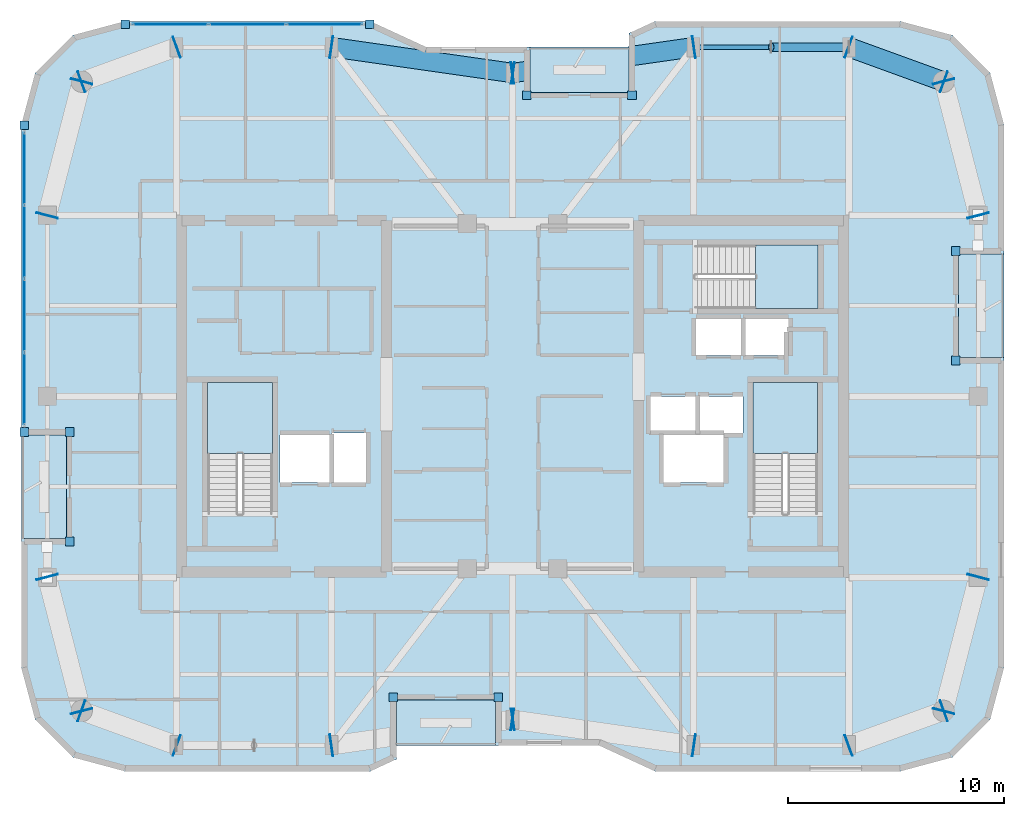
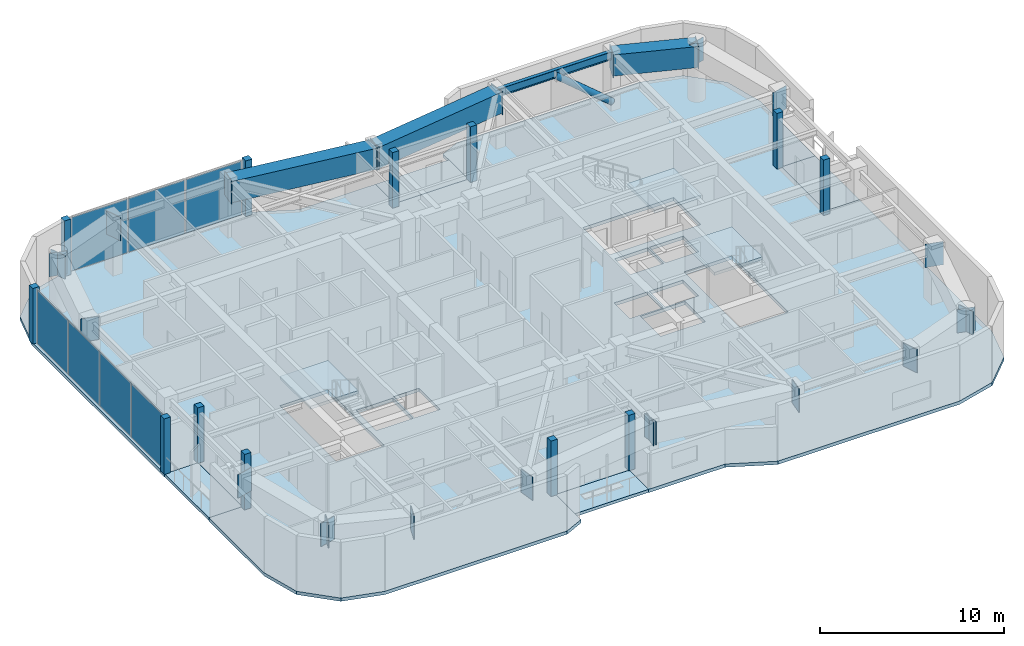
# One storey, part 7 of 16: 43 plates, 8 slabs, 4 beams, 1 member, 5 elements without a shape of their own.
"""IFC4 building model written with IfcOpenShell, lengths in metres."""

from ifc_helpers import new_model, si_unit, direction, frame, origin, origin_2d, place, context, subcontext, project, spatial, polyline, rectangle, hollow_rectangle, hollow_circle, i_section, outline, extrude, material, layer, layer_set, material_profile, profile_set, type_object, element, aggregate, save


model = new_model("IFC4")

# Units and contexts
model_context = context("Model", 3, precision=1e-05, world=origin(), true_north=direction((0.0, 1.0)))
body_context = subcontext(model_context, "Body", "Model", "MODEL_VIEW")
ifc_project = project(units=[si_unit("LENGTHUNIT", "METRE"), si_unit("AREAUNIT", "SQUARE_METRE"), si_unit("VOLUMEUNIT", "CUBIC_METRE"), si_unit("PLANEANGLEUNIT", "RADIAN"), si_unit("MASSUNIT", "GRAM", prefix="KILO")], contexts=[model_context])

# Site, building, storey
site_placement = place(None, origin())
site = spatial("IfcSite", under=ifc_project, at=site_placement, CompositionType="ELEMENT")
building_placement = place(site_placement, origin())
building = spatial("IfcBuilding", under=site, at=building_placement, Name="Kiyonajd Concourse Tower", CompositionType="ELEMENT")
storey_placement = place(building_placement, frame((0.0, 0.0, 302.39990234375)))
storey = spatial("IfcBuildingStorey", under=building, at=storey_placement, Name="L76", CompositionType="ELEMENT", Elevation=302.39990234375)

# Beams
ifc_material_1 = material(Name="Steel ASTM A992 Grade 50", Category="steel")
ifc_material_profile_1 = material_profile(ifc_material_1, i_section(OverallWidth=0.2109375, OverallDepth=0.5390625, WebThickness=0.01171875, FlangeThickness=0.018798828125, at=origin_2d()), Name="W530X109")
ifc_profile_set_1 = profile_set([ifc_material_profile_1], Name="Steel ASTM A992 Grade 50")
beam_type_1 = type_object("IfcBeamType", Name="BM-SPAN-530B", PredefinedType="SPANDREL", material=ifc_profile_set_1)
beam_1_placement = place(storey_placement, frame((63.60009765625, 52.199951171875, 3.41064453125), z_axis=(-1.0, 0.0, 0.0), x_axis=(0.0, -1.0, 0.0)))
element("IfcBeam", 1, at=beam_1_placement, inside=storey, type_object=beam_type_1, Name="L76 Perimeter Bundled Tube Spandrel", PredefinedType="SPANDREL", context=body_context, shape_type="SweptSolid", body=[
    extrude(i_section(OverallWidth=0.2109375, OverallDepth=0.5390625, WebThickness=0.01171875, FlangeThickness=0.018798828125, at=origin_2d()), origin(), (0.0, 0.0, 1.0), 7.2001953125),
])
ifc_material_2 = material(Name="Steel ASTM A572 Grade 50", Category="steel")
ifc_material_profile_2 = material_profile(ifc_material_2, hollow_rectangle(XDim=0.89990234375, YDim=1.39990234375, WallThickness=0.070068359375, at=origin_2d()), Name="BOX-1400x900x70")
ifc_profile_set_2 = profile_set([ifc_material_profile_2], Name="Steel ASTM A572 Grade 50")
beam_type_2 = type_object("IfcBeamType", Name="BM-XFER-1400", PredefinedType="BEAM", material=ifc_profile_set_2)
beam_2_placement = place(storey_placement, frame((68.0, 50.60009765625, 2.97998046875), z_axis=(-0.939801036019, 0.341722127901, 0.0), x_axis=(-0.341722127901, -0.939801036019, 0.0)))
element("IfcBeam", 2, at=beam_2_placement, inside=storey, type_object=beam_type_2, Name="L76 Perimeter Bundled Tube Spandrel", PredefinedType="BEAM", context=body_context, shape_type="SweptSolid", body=[
    extrude(hollow_rectangle(XDim=0.89990234375, YDim=1.39990234375, WallThickness=0.070068359375, at=origin_2d()), origin(), (0.0, 0.0, 1.0), 4.681640625),
])
for number, where, z_axis, x_axis, name in (
    (3, (56.39990234375, 52.199951171875, 2.97998046875), (-0.989950069105, -0.141417328072, 0.0), (0.141417328072, -0.989950069105, 0.0), "L76 Perimeter Bundled Tube Spandrel"),
    (4, (48.0, 51.0, 2.97998046875), (-0.989950069105, 0.141417328072, 0.0), (-0.141417328072, -0.989950069105, 0.0), "L76 Perimeter Bundled Tube Spandrel"),
):
    element("IfcBeam", number, at=place(storey_placement, frame(where, z_axis=z_axis, x_axis=x_axis)), inside=storey, type_object=beam_type_2, Name=name, PredefinedType="BEAM", context=body_context, shape_type="SweptSolid", body=[
        extrude(hollow_rectangle(XDim=0.89990234375, YDim=1.39990234375, WallThickness=0.070068359375, at=origin_2d()), origin(), (0.0, 0.0, 1.0), 8.485107421875),
    ])

# Member
ifc_material_3 = material(Name="Steel ASTM A500 Grade C", Category="steel")
ifc_material_profile_3 = material_profile(ifc_material_3, hollow_circle(Radius=0.202880859375, WallThickness=0.01904296875, at=origin_2d()), Name="CHS-406x19")
ifc_profile_set_3 = profile_set([ifc_material_profile_3], Name="Steel ASTM A500 Grade C")
member_type = type_object("IfcMemberType", Name="MB-PB-HIGH", PredefinedType="BRACE", material=ifc_profile_set_3)
member_placement = place(storey_placement, frame((63.60009765625, 52.199951171875, 0.300048828125), z_axis=(-0.765082043761, 0.0, 0.643932811957), x_axis=(0.0, -1.0, 0.0)))
element("IfcMember", 5, at=member_placement, inside=storey, type_object=member_type, Name="L76 Upper Zone Hollow Tube Brace PBN", PredefinedType="BRACE", context=body_context, shape_type="SweptSolid", body=[
    extrude(hollow_circle(Radius=0.202880859375, WallThickness=0.01904296875, at=origin_2d()), origin(), (0.0, 0.0, 1.0), 4.70556640625),
])

# Plates
ifc_layer_1 = layer(ifc_material_2, 0.031982421875)
ifc_layer_set_1 = layer_set([ifc_layer_1], Name="Steel ASTM A572 Grade 50")
plate_type_1 = type_object("IfcPlateType", Name="PL-CAP-540", PredefinedType="USERDEFINED", material=ifc_layer_set_1)
for number, where, z_axis, x_axis, name in (
    (6, (26.397216796875, 27.610595703125, 2.2099609375), (0.0, 0.0, 1.0), (-0.249873048837, 0.968278606324, 0.0), "L76 Welded Box Girder End Cap"),
    (7, (28.002685546875, 21.389404296875, 2.2099609375), (0.0, 0.0, 1.0), (0.249873048837, -0.968278606324, 0.0), "L76 Welded Box Girder End Cap"),
    (8, (27.98974609375, 21.40380859375, 2.2099609375), (0.0, 0.0, 1.0), (-0.939811951086, 0.341692107891, 0.0), "L76 Welded Box Girder End Cap"),
    (9, (32.410400390625, 19.796142578125, 2.2099609375), (0.0, 0.0, 1.0), (0.939811951086, -0.341692107891, 0.0), "L76 Welded Box Girder End Cap"),
    (10, (39.589111328125, 19.79833984375, 2.2099609375), (0.0, 0.0, 1.0), (-0.989949746297, -0.141419587774, 0.0), "L76 Welded Box Girder End Cap"),
    (11, (48.010986328125, 21.001708984375, 2.2099609375), (0.0, 0.0, 1.0), (0.989949746297, 0.141419587774, 0.0), "L76 Welded Box Girder End Cap"),
    (12, (47.989013671875, 21.001708984375, 2.2099609375), (0.0, 0.0, 1.0), (-0.989949746297, 0.141419587774, 0.0), "L76 Welded Box Girder End Cap"),
    (13, (56.410888671875, 19.79833984375, 2.2099609375), (0.0, 0.0, 1.0), (0.989949746297, -0.141419587774, 0.0), "L76 Welded Box Girder End Cap"),
    (14, (63.589599609375, 19.796142578125, 2.2099609375), (0.0, 0.0, 1.0), (-0.939811951086, -0.341692107891, 0.0), "L76 Welded Box Girder End Cap"),
    (15, (68.01025390625, 21.40380859375, 2.2099609375), (0.0, 0.0, 1.0), (0.939811951086, 0.341692107891, 0.0), "L76 Welded Box Girder End Cap"),
    (16, (67.997314453125, 21.389404296875, 2.2099609375), (0.0, 0.0, 1.0), (-0.249873048837, -0.968278606324, 0.0), "L76 Welded Box Girder End Cap"),
    (17, (69.602783203125, 27.610595703125, 2.2099609375), (0.0, 0.0, 1.0), (0.249873048837, 0.968278606324, 0.0), "L76 Welded Box Girder End Cap"),
    (18, (69.602783203125, 44.389404296875, 2.2099609375), (0.0, 0.0, 1.0), (0.249873048837, -0.968278606324, 0.0), "L76 Welded Box Girder End Cap"),
    (19, (67.997314453125, 50.610595703125, 2.2099609375), (0.0, 0.0, 1.0), (-0.249873048837, 0.968278606324, 0.0), "L76 Welded Box Girder End Cap"),
    (20, (68.01025390625, 50.59619140625, 2.2099609375), (0.0, 0.0, 1.0), (0.939811951086, -0.341692107891, 0.0), "L76 Welded Box Girder End Cap"),
    (21, (63.589599609375, 52.203857421875, 2.2099609375), (0.0, 0.0, 1.0), (-0.939811951086, 0.341692107891, 0.0), "L76 Welded Box Girder End Cap"),
    (22, (56.410888671875, 52.20166015625, 2.2099609375), (0.0, 0.0, 1.0), (0.989949746297, 0.141419587774, 0.0), "L76 Welded Box Girder End Cap"),
    (23, (47.989013671875, 50.998291015625, 2.2099609375), (0.0, 0.0, 1.0), (-0.989949746297, -0.141419587774, 0.0), "L76 Welded Box Girder End Cap"),
    (24, (48.010986328125, 50.998291015625, 2.2099609375), (0.0, 0.0, 1.0), (0.989949746297, -0.141419587774, 0.0), "L76 Welded Box Girder End Cap"),
    (25, (39.589111328125, 52.20166015625, 2.2099609375), (0.0, 0.0, 1.0), (-0.989949746297, 0.141419587774, 0.0), "L76 Welded Box Girder End Cap"),
    (26, (32.410400390625, 52.203857421875, 2.2099609375), (0.0, 0.0, 1.0), (0.939811951086, 0.341692107891, 0.0), "L76 Welded Box Girder End Cap"),
    (27, (27.98974609375, 50.59619140625, 2.2099609375), (0.0, 0.0, 1.0), (-0.939811951086, -0.341692107891, 0.0), "L76 Welded Box Girder End Cap"),
    (28, (28.002685546875, 50.610595703125, 2.2099609375), (0.0, 0.0, 1.0), (0.249873048837, 0.968278606324, 0.0), "L76 Welded Box Girder End Cap"),
    (29, (26.397216796875, 44.389404296875, 2.2099609375), (0.0, 0.0, 1.0), (-0.249873048837, -0.968278606324, 0.0), "L76 Welded Box Girder End Cap"),
):
    element("IfcPlate", number, at=place(storey_placement, frame(where, z_axis=z_axis, x_axis=x_axis)), inside=storey, type_object=plate_type_1, Name=name, ObjectType="CAP PLATE", PredefinedType="USERDEFINED", context=body_context, shape_type="SweptSolid", body=[
        extrude(rectangle(XDim=0.035888671875, YDim=1.02001953125, at=origin_2d()), origin(), (0.0, 0.0, 1.0), 1.5400390625),
    ])

# Curtain wall, plates
ifc_material_4 = material(Name="Thermally Broken Anodised Aluminium", Category="aluminium")
ifc_layer_2 = layer(ifc_material_4, 0.179931640625)
ifc_layer_set_2 = layer_set([ifc_layer_2], Name="Thermally Broken Anodised Aluminium")
curtain_wall_type = type_object("IfcCurtainWallType", Name="CW-SYS-04", PredefinedType="NOTDEFINED", material=ifc_layer_set_2)
curtain_wall_1_placement = place(storey_placement, origin())
curtain_wall_1 = element("IfcCurtainWall", 30, at=curtain_wall_1_placement, inside=storey, type_object=curtain_wall_type, Name="L76 Unitised Curtain Wall CW4", PredefinedType="NOTDEFINED")
ifc_material_5 = material(Name="Double Low-E Insulated Glass", Category="glass")
ifc_layer_3 = layer(ifc_material_5, 0.033935546875)
ifc_layer_set_3 = layer_set([ifc_layer_3], Name="Double Low-E Insulated Glass")
plate_type_2 = type_object("IfcPlateType", Name="PL-CW-VIS34", PredefinedType="CURTAIN_PANEL", material=ifc_layer_set_3)
plate_1_placement = place(storey_placement, frame((25.340087890625, 36.35400390625, 0.06494140625), z_axis=(0.0, 0.0, 1.0), x_axis=(0.0, 1.0, 0.0)))
plate_1 = element("IfcPlate", 31, at=plate_1_placement, type_object=plate_type_2, Name="CW4 panel 1.1", PredefinedType="CURTAIN_PANEL", context=body_context, shape_type="SweptSolid", body=[
    extrude(rectangle(XDim=3.31787109375, YDim=0.033935546875, at=origin_2d()), origin(), (0.0, 0.0, 1.0), 3.550048828125),
])
plate_2_placement = place(storey_placement, frame((25.340087890625, 39.753173828125, 0.06494140625), z_axis=(0.0, 0.0, 1.0), x_axis=(0.0, 1.0, 0.0)))
plate_2 = element("IfcPlate", 32, at=plate_2_placement, type_object=plate_type_2, Name="CW4 panel 2.1", PredefinedType="CURTAIN_PANEL", context=body_context, shape_type="SweptSolid", body=[
    extrude(rectangle(XDim=3.350341796875, YDim=0.033935546875, at=origin_2d()), origin(), (0.0, 0.0, 1.0), 3.550048828125),
])
plate_3_placement = place(storey_placement, frame((25.340087890625, 43.16845703125, 0.06494140625), z_axis=(0.0, 0.0, 1.0), x_axis=(0.0, 1.0, 0.0)))
plate_3 = element("IfcPlate", 33, at=plate_3_placement, type_object=plate_type_2, Name="CW4 panel 3.1", PredefinedType="CURTAIN_PANEL", context=body_context, shape_type="SweptSolid", body=[
    extrude(rectangle(XDim=3.350341796875, YDim=0.033935546875, at=origin_2d()), origin(), (0.0, 0.0, 1.0), 3.550048828125),
])
plate_4_placement = place(storey_placement, frame((25.340087890625, 46.567626953125, 0.06494140625), z_axis=(0.0, 0.0, 1.0), x_axis=(0.0, 1.0, 0.0)))
plate_4 = element("IfcPlate", 34, at=plate_4_placement, type_object=plate_type_2, Name="CW4 panel 4.1", PredefinedType="CURTAIN_PANEL", context=body_context, shape_type="SweptSolid", body=[
    extrude(rectangle(XDim=3.31787109375, YDim=0.033935546875, at=origin_2d()), origin(), (0.0, 0.0, 1.0), 3.550048828125),
])
aggregate(curtain_wall_1, [plate_1, plate_2, plate_3, plate_4])

curtain_wall_2_placement = place(storey_placement, origin())
curtain_wall_2 = element("IfcCurtainWall", 35, at=curtain_wall_2_placement, inside=storey, type_object=curtain_wall_type, Name="L76 Unitised Curtain Wall CW4", PredefinedType="NOTDEFINED")
plate_5_placement = place(storey_placement, frame((32.119873046875, 53.260009765625, 0.06494140625), z_axis=(0.0, 0.0, 1.0), x_axis=(1.0, 0.0, 0.0)))
plate_5 = element("IfcPlate", 36, at=plate_5_placement, type_object=plate_type_2, Name="CW4 panel 1.1", PredefinedType="CURTAIN_PANEL", context=body_context, shape_type="SweptSolid", body=[
    extrude(rectangle(XDim=3.492919921875, YDim=0.033935546875, at=origin_2d()), origin(), (0.0, 0.0, 1.0), 3.550048828125),
])
plate_6_placement = place(storey_placement, frame((35.69384765625, 53.260009765625, 0.06494140625), z_axis=(0.0, 0.0, 1.0), x_axis=(1.0, 0.0, 0.0)))
plate_6 = element("IfcPlate", 37, at=plate_6_placement, type_object=plate_type_2, Name="CW4 panel 2.1", PredefinedType="CURTAIN_PANEL", context=body_context, shape_type="SweptSolid", body=[
    extrude(rectangle(XDim=3.525390625, YDim=0.033935546875, at=origin_2d()), origin(), (0.0, 0.0, 1.0), 3.550048828125),
])
plate_7_placement = place(storey_placement, frame((39.267822265625, 53.260009765625, 0.06494140625), z_axis=(0.0, 0.0, 1.0), x_axis=(1.0, 0.0, 0.0)))
plate_7 = element("IfcPlate", 38, at=plate_7_placement, type_object=plate_type_2, Name="CW4 panel 3.1", PredefinedType="CURTAIN_PANEL", context=body_context, shape_type="SweptSolid", body=[
    extrude(rectangle(XDim=3.492919921875, YDim=0.033935546875, at=origin_2d()), origin(), (0.0, 0.0, 1.0), 3.550048828125),
])
aggregate(curtain_wall_2, [plate_5, plate_6, plate_7])

# Plates
ifc_layer_4 = layer(ifc_material_4, 0.39990234375)
ifc_layer_set_4 = layer_set([ifc_layer_4], Name="Thermally Broken Anodised Aluminium")
plate_type_3 = type_object("IfcPlateType", Name="PL-JMB-400", PredefinedType="USERDEFINED", material=ifc_layer_set_4)
for number, where, z_axis, x_axis, name in (
    (39, (27.43994140625, 29.260009765625, 0.0), (0.0, 0.0, 1.0), (1.0, 0.0, 0.0), "L76 Facade Jamb Closure Plate 01"),
    (40, (27.43994140625, 34.340087890625, 0.0), (0.0, 0.0, 1.0), (1.0, 0.0, 0.0), "L76 Facade Jamb Closure Plate 02"),
    (41, (25.340087890625, 34.340087890625, 0.0), (0.0, 0.0, 1.0), (1.0, 0.0, 0.0), "L76 Facade Jamb Closure Plate 03"),
    (42, (25.340087890625, 48.58154296875, 0.0), (0.0, 0.0, 1.0), (1.0, 0.0, 0.0), "L76 Facade Jamb Closure Plate 04"),
    (43, (30.018310546875, 53.260009765625, 0.0), (0.0, 0.0, 1.0), (1.0, 0.0, 0.0), "L76 Facade Jamb Closure Plate 05"),
    (44, (41.369384765625, 53.260009765625, 0.0), (0.0, 0.0, 1.0), (1.0, 0.0, 0.0), "L76 Facade Jamb Closure Plate 06"),
    (45, (48.659912109375, 49.9599609375, 0.0), (0.0, 0.0, 1.0), (1.0, 0.0, 0.0), "L76 Facade Jamb Closure Plate 07"),
    (46, (53.5400390625, 49.9599609375, 0.0), (0.0, 0.0, 1.0), (1.0, 0.0, 0.0), "L76 Facade Jamb Closure Plate 08"),
    (47, (68.56005859375, 42.739990234375, 0.0), (0.0, 0.0, 1.0), (1.0, 0.0, 0.0), "L76 Facade Jamb Closure Plate 09"),
    (48, (68.56005859375, 37.659912109375, 0.0), (0.0, 0.0, 1.0), (1.0, 0.0, 0.0), "L76 Facade Jamb Closure Plate 10"),
    (49, (47.340087890625, 22.0400390625, 0.0), (0.0, 0.0, 1.0), (1.0, 0.0, 0.0), "L76 Facade Jamb Closure Plate 11"),
    (50, (42.4599609375, 22.0400390625, 0.0), (0.0, 0.0, 1.0), (1.0, 0.0, 0.0), "L76 Facade Jamb Closure Plate 12"),
):
    element("IfcPlate", number, at=place(storey_placement, frame(where, z_axis=z_axis, x_axis=x_axis)), inside=storey, type_object=plate_type_3, Name=name, ObjectType="JAMB PLATE", PredefinedType="USERDEFINED", context=body_context, shape_type="SweptSolid", body=[
        extrude(rectangle(XDim=0.39990234375, YDim=0.39990234375, at=origin_2d()), origin(), (0.0, 0.0, 1.0), 3.679931640625),
    ])

# Stair, slab
ifc_material_6 = material(Name="Concrete C40/50", Category="concrete")
stair_type = type_object("IfcStairType", Name="ST-DLG-22R", PredefinedType="HALF_TURN_STAIR", material=ifc_material_6)
stair_1_placement = place(storey_placement, origin())
stair_1 = element("IfcStair", 51, at=stair_1_placement, inside=storey, type_object=stair_type, Name="L76 Protected Exit Stair ST1", PredefinedType="HALF_TURN_STAIR")
ifc_layer_5 = layer(ifc_material_6, 0.199951171875)
ifc_layer_set_5 = layer_set([ifc_layer_5], Name="Concrete C40/50")
slab_type_1 = type_object("IfcSlabType", Name="SL-LND-200", PredefinedType="LANDING", material=ifc_layer_set_5)
slab_1_placement = place(storey_placement, frame((0.0, 0.0, 1.75)))
slab_1 = element("IfcSlab", 52, at=slab_1_placement, type_object=slab_type_1, Name="ST1 landing 1", PredefinedType="LANDING", context=body_context, shape_type="SweptSolid", body=[
    extrude(outline(polyline([(36.85009765625, 33.35009765625), (36.85009765625, 36.64990234375), (33.85009765625, 36.64990234375), (33.85009765625, 33.35009765625), (36.85009765625, 33.35009765625)])), origin(), (0.0, 0.0, 1.0), 0.2001953125),
])
aggregate(stair_1, [slab_1])

stair_2_placement = place(storey_placement, origin())
stair_2 = element("IfcStair", 53, at=stair_2_placement, inside=storey, type_object=stair_type, Name="L76 Protected Exit Stair ST2", PredefinedType="HALF_TURN_STAIR")
slab_2_placement = place(storey_placement, frame((0.0, 0.0, 1.75)))
slab_2 = element("IfcSlab", 54, at=slab_2_placement, type_object=slab_type_1, Name="ST2 landing 1", PredefinedType="LANDING", context=body_context, shape_type="SweptSolid", body=[
    extrude(outline(polyline([(62.14990234375, 33.35009765625), (62.14990234375, 36.64990234375), (59.14990234375, 36.64990234375), (59.14990234375, 33.35009765625), (62.14990234375, 33.35009765625)])), origin(), (0.0, 0.0, 1.0), 0.2001953125),
])
aggregate(stair_2, [slab_2])

stair_3_placement = place(storey_placement, origin())
stair_3 = element("IfcStair", 55, at=stair_3_placement, inside=storey, type_object=stair_type, Name="L76 Protected Exit Stair ST3", PredefinedType="HALF_TURN_STAIR")
slab_3_placement = place(storey_placement, frame((0.0, 0.0, 1.75)))
slab_3 = element("IfcSlab", 56, at=slab_3_placement, type_object=slab_type_1, Name="ST3 landing 1", PredefinedType="LANDING", context=body_context, shape_type="SweptSolid", body=[
    extrude(outline(polyline([(59.280029296875, 40.080078125), (62.179931640625, 40.080078125), (62.179931640625, 43.02001953125), (59.280029296875, 43.02001953125), (59.280029296875, 40.080078125)])), origin(), (0.0, 0.0, 1.0), 0.2001953125),
])
aggregate(stair_3, [slab_3])

# Slabs
ifc_material_7 = material(Name="Precast concrete C50/60", Category="concrete")
ifc_layer_6 = layer(ifc_material_7, 0.199951171875)
ifc_layer_set_6 = layer_set([ifc_layer_6], Name="Precast concrete C50/60")
slab_type_2 = type_object("IfcSlabType", Name="SL-LOG-200", PredefinedType="FLOOR", material=ifc_layer_set_6)
slab_4_placement = place(storey_placement, frame((0.0, 0.0, -0.199951171875)))
element("IfcSlab", 57, at=slab_4_placement, inside=storey, type_object=slab_type_2, Name="L76 Recessed Engawa Loggia Terrace Slab LOG-S", PredefinedType="FLOOR", context=body_context, shape_type="SweptSolid", body=[
    extrude(outline(polyline([(42.60009765625, 19.800048828125), (47.199951171875, 19.800048828125), (47.199951171875, 21.89990234375), (42.60009765625, 21.89990234375), (42.60009765625, 19.800048828125)])), origin(), (0.0, 0.0, 1.0), 0.199951171875),
])
slab_5_placement = place(storey_placement, frame((0.0, 0.0, -0.199951171875)))
element("IfcSlab", 58, at=slab_5_placement, inside=storey, type_object=slab_type_2, Name="L76 Recessed Engawa Loggia Terrace Slab LOG-N", PredefinedType="FLOOR", context=body_context, shape_type="SweptSolid", body=[
    extrude(outline(polyline([(48.800048828125, 50.10009765625), (53.39990234375, 50.10009765625), (53.39990234375, 52.199951171875), (48.800048828125, 52.199951171875), (48.800048828125, 50.10009765625)])), origin(), (0.0, 0.0, 1.0), 0.199951171875),
])
slab_6_placement = place(storey_placement, frame((0.0, 0.0, -0.199951171875)))
element("IfcSlab", 59, at=slab_6_placement, inside=storey, type_object=slab_type_2, Name="L76 Recessed Engawa Loggia Terrace Slab LOG-W", PredefinedType="FLOOR", context=body_context, shape_type="SweptSolid", body=[
    extrude(outline(polyline([(25.199951171875, 29.39990234375), (27.300048828125, 29.39990234375), (27.300048828125, 34.199951171875), (25.199951171875, 34.199951171875), (25.199951171875, 29.39990234375)])), origin(), (0.0, 0.0, 1.0), 0.199951171875),
])
slab_7_placement = place(storey_placement, frame((0.0, 0.0, -0.199951171875)))
element("IfcSlab", 60, at=slab_7_placement, inside=storey, type_object=slab_type_2, Name="L76 Recessed Engawa Loggia Terrace Slab LOG-E", PredefinedType="FLOOR", context=body_context, shape_type="SweptSolid", body=[
    extrude(outline(polyline([(68.699951171875, 37.800048828125), (70.800048828125, 37.800048828125), (70.800048828125, 42.60009765625), (68.699951171875, 42.60009765625), (68.699951171875, 37.800048828125)])), origin(), (0.0, 0.0, 1.0), 0.199951171875),
])
ifc_layer_7 = layer(ifc_material_6, 0.219970703125)
ifc_layer_set_7 = layer_set([ifc_layer_7], Name="Concrete C40/50")
slab_type_3 = type_object("IfcSlabType", Name="SL-TWR-220", PredefinedType="FLOOR", material=ifc_layer_set_7)
slab_8_placement = place(storey_placement, frame((0.0, 0.0, -0.219970703125)))
element("IfcSlab", 61, at=slab_8_placement, inside=storey, type_object=slab_type_3, Name="L76 Tower Conditioned Floor Slab", PredefinedType="FLOOR", context=body_context, shape_type="SweptSolid", body=[
    extrude(outline(polyline([(25.843017578125, 21.0), (25.199951171875, 23.39990234375), (25.199951171875, 29.39990234375), (27.300048828125, 29.39990234375), (27.300048828125, 34.199951171875), (25.199951171875, 34.199951171875), (25.199951171875, 48.60009765625), (25.843017578125, 51.0), (27.60009765625, 52.757080078125), (30.0, 53.39990234375), (41.39990234375, 53.39990234375), (44.0, 52.199951171875), (48.800048828125, 52.199951171875), (48.800048828125, 50.10009765625), (53.39990234375, 50.10009765625), (53.39990234375, 52.845947265625), (54.60009765625, 53.39990234375), (66.0, 53.39990234375), (68.39990234375, 52.757080078125), (70.156982421875, 51.0), (70.800048828125, 48.60009765625), (70.800048828125, 42.60009765625), (68.699951171875, 42.60009765625), (68.699951171875, 37.800048828125), (70.800048828125, 37.800048828125), (70.800048828125, 23.39990234375), (70.156982421875, 21.0), (68.39990234375, 19.242919921875), (66.0, 18.60009765625), (54.60009765625, 18.60009765625), (52.0, 19.800048828125), (47.199951171875, 19.800048828125), (47.199951171875, 21.89990234375), (42.60009765625, 21.89990234375), (42.60009765625, 19.154052734375), (41.39990234375, 18.60009765625), (30.0, 18.60009765625), (27.60009765625, 19.242919921875), (25.843017578125, 21.0)]), holes=[polyline([(39.5, 32.0), (37.199951171875, 32.0), (37.199951171875, 34.199951171875), (39.5, 34.199951171875), (39.5, 32.0)]), polyline([(57.800048828125, 32.0), (55.0, 32.0), (55.0, 34.199951171875), (57.800048828125, 34.199951171875), (57.800048828125, 32.0)]), polyline([(41.199951171875, 32.0), (39.60009765625, 32.0), (39.60009765625, 34.300048828125), (41.199951171875, 34.300048828125), (41.199951171875, 32.0)]), polyline([(33.85009765625, 30.550048828125), (33.85009765625, 36.64990234375), (36.85009765625, 36.64990234375), (36.85009765625, 30.550048828125), (33.85009765625, 30.550048828125)]), polyline([(59.14990234375, 30.550048828125), (59.14990234375, 36.64990234375), (62.14990234375, 36.64990234375), (62.14990234375, 30.550048828125), (59.14990234375, 30.550048828125)]), polyline([(56.5, 34.300048828125), (54.39990234375, 34.300048828125), (54.39990234375, 36.0), (56.5, 36.0), (56.5, 34.300048828125)]), polyline([(58.699951171875, 34.300048828125), (56.60009765625, 34.300048828125), (56.60009765625, 36.0), (58.699951171875, 36.0), (58.699951171875, 34.300048828125)]), polyline([(58.60009765625, 37.89990234375), (56.5, 37.89990234375), (56.5, 39.60009765625), (58.60009765625, 39.60009765625), (58.60009765625, 37.89990234375)]), polyline([(58.699951171875, 37.89990234375), (58.699951171875, 39.60009765625), (60.800048828125, 39.60009765625), (60.800048828125, 37.89990234375), (58.699951171875, 37.89990234375)]), polyline([(56.47998046875, 43.02001953125), (62.179931640625, 43.02001953125), (62.179931640625, 40.080078125), (56.47998046875, 40.080078125), (56.47998046875, 43.02001953125)])]), origin(), (0.0, 0.0, 1.0), 0.219970703125),
])

save(model, "model.ifc")
